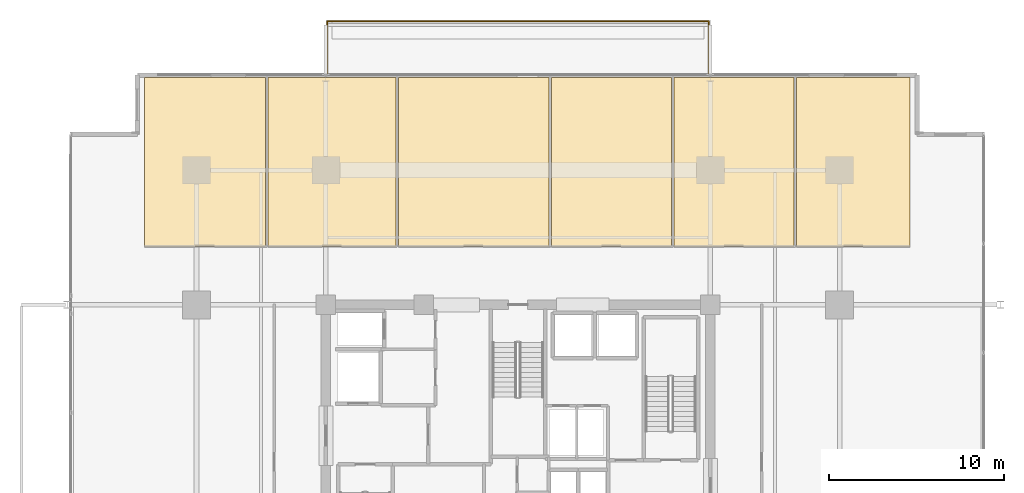
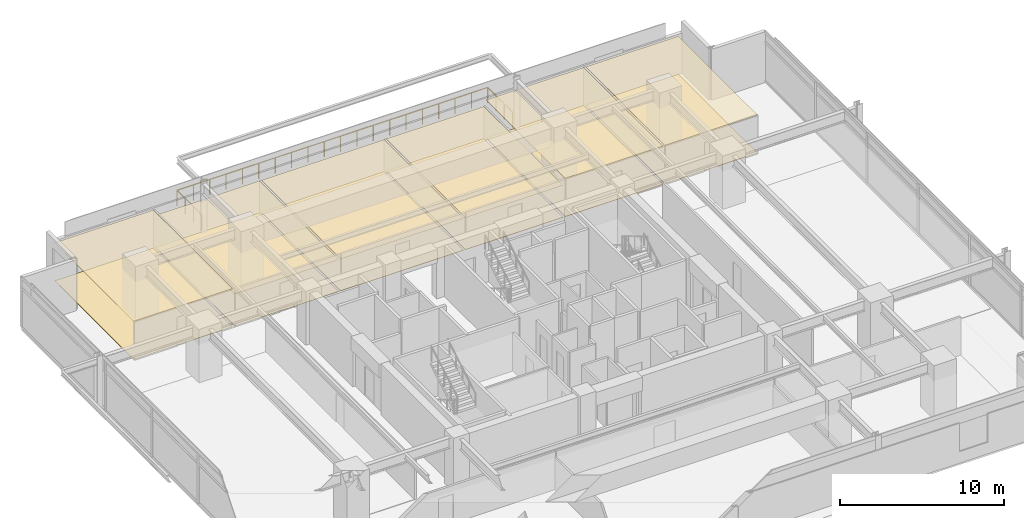
# One storey, part 22 of 22: 12 coverings, 1 railing.
"""IFC4 building model written with IfcOpenShell, lengths in metres."""

from ifc_helpers import new_model, si_unit, direction, frame, origin, origin_2d, place, context, subcontext, project, spatial, polyline, circle, outline, extrude, material, layer, layer_set, type_object, element, save


model = new_model("IFC4")

# Units and contexts
model_context = context("Model", 3, precision=1e-05, world=origin(), true_north=direction((0.0, 1.0)))
body_context = subcontext(model_context, "Body", "Model", "MODEL_VIEW")
ifc_project = project(units=[si_unit("LENGTHUNIT", "METRE"), si_unit("AREAUNIT", "SQUARE_METRE"), si_unit("VOLUMEUNIT", "CUBIC_METRE"), si_unit("PLANEANGLEUNIT", "RADIAN"), si_unit("MASSUNIT", "GRAM", prefix="KILO")], contexts=[model_context])

# Site, building, storey
site_placement = place(None, origin())
site = spatial("IfcSite", under=ifc_project, at=site_placement, CompositionType="ELEMENT")
building_placement = place(site_placement, origin())
building = spatial("IfcBuilding", under=site, at=building_placement, Name="Kovane Verandah Tower", CompositionType="ELEMENT")
storey_placement = place(building_placement, frame((0.0, 0.0, 156.39990234375)))
storey = spatial("IfcBuildingStorey", under=building, at=storey_placement, Name="L36", CompositionType="ELEMENT", Elevation=156.39990234375)

# Coverings
ifc_material_1 = material(Name="Perforated Acoustic Mineral-Fibre Ceiling Tile", Category="gypsum")
ifc_layer_1 = layer(ifc_material_1, 0.02490234375)
ifc_layer_set_1 = layer_set([ifc_layer_1], Name="Perforated Acoustic Mineral-Fibre Ceiling Tile")
covering_type_1 = type_object("IfcCoveringType", Name="CV-CEIL-25", PredefinedType="CEILING", material=ifc_layer_set_1)
covering_1_placement = place(storey_placement, frame((0.0, 0.0, 2.8251953125)))
element("IfcCovering", 1, at=covering_1_placement, inside=storey, type_object=covering_type_1, Name="L36 Meeting Room N1 Acoustic Ceiling", PredefinedType="CEILING", context=body_context, shape_type="SweptSolid", body=[
    extrude(outline(polyline([(18.61962890625, 39.85009765625), (25.561279296875, 39.85009765625), (25.561279296875, 49.49609375), (18.61962890625, 49.49609375), (18.61962890625, 39.85009765625)])), origin(), (0.0, 0.0, 1.0), 0.02490234375),
])
covering_2_placement = place(storey_placement, frame((0.0, 0.0, 2.380126953125)))
element("IfcCovering", 2, at=covering_2_placement, inside=storey, type_object=covering_type_1, Name="L36 Focus Studio N2 Acoustic Ceiling", PredefinedType="CEILING", context=body_context, shape_type="SweptSolid", body=[
    extrude(outline(polyline([(25.701416015625, 39.85009765625), (33.010986328125, 39.85009765625), (33.010986328125, 49.49609375), (25.701416015625, 49.49609375), (25.701416015625, 39.85009765625)])), origin(), (0.0, 0.0, 1.0), 0.02490234375),
])
covering_3_placement = place(storey_placement, frame((0.0, 0.0, 2.380126953125)))
element("IfcCovering", 3, at=covering_3_placement, inside=storey, type_object=covering_type_1, Name="L36 Breakout Pantry N3 Acoustic Ceiling", PredefinedType="CEILING", context=body_context, shape_type="SweptSolid", body=[
    extrude(outline(polyline([(33.151123046875, 39.85009765625), (41.775390625, 39.85009765625), (41.775390625, 49.49609375), (33.151123046875, 49.49609375), (33.151123046875, 39.85009765625)])), origin(), (0.0, 0.0, 1.0), 0.02490234375),
])
covering_4_placement = place(storey_placement, frame((0.0, 0.0, 2.380126953125)))
element("IfcCovering", 4, at=covering_4_placement, inside=storey, type_object=covering_type_1, Name="L36 Collaboration Hub N4 Acoustic Ceiling", PredefinedType="CEILING", context=body_context, shape_type="SweptSolid", body=[
    extrude(outline(polyline([(41.91552734375, 39.85009765625), (48.787109375, 39.85009765625), (48.787109375, 49.49609375), (41.91552734375, 49.49609375), (41.91552734375, 39.85009765625)])), origin(), (0.0, 0.0, 1.0), 0.02490234375),
])
covering_5_placement = place(storey_placement, frame((0.0, 0.0, 2.8251953125)))
element("IfcCovering", 5, at=covering_5_placement, inside=storey, type_object=covering_type_1, Name="L36 Document and Print Room N5 Acoustic Ceiling", PredefinedType="CEILING", context=body_context, shape_type="SweptSolid", body=[
    extrude(outline(polyline([(48.927001953125, 39.85009765625), (55.798583984375, 39.85009765625), (55.798583984375, 49.49609375), (48.927001953125, 49.49609375), (48.927001953125, 39.85009765625)])), origin(), (0.0, 0.0, 1.0), 0.02490234375),
])
covering_6_placement = place(storey_placement, frame((0.0, 0.0, 2.8251953125)))
element("IfcCovering", 6, at=covering_6_placement, inside=storey, type_object=covering_type_1, Name="L36 Open Plan Office N6 Acoustic Ceiling", PredefinedType="CEILING", context=body_context, shape_type="SweptSolid", body=[
    extrude(outline(polyline([(55.938720703125, 39.85009765625), (62.44189453125, 39.85009765625), (62.44189453125, 49.49609375), (55.938720703125, 49.49609375), (55.938720703125, 39.85009765625)])), origin(), (0.0, 0.0, 1.0), 0.02490234375),
])
ifc_material_2 = material(Name="Polished Terrazzo and Raised-Access Carpet Tile Finish", Category="concrete")
ifc_layer_2 = layer(ifc_material_2, 0.030029296875)
ifc_layer_set_2 = layer_set([ifc_layer_2], Name="Polished Terrazzo and Raised-Access Carpet Tile Finish")
covering_type_2 = type_object("IfcCoveringType", Name="CV-FLOR-30", PredefinedType="FLOORING", material=ifc_layer_set_2)
covering_7_placement = place(storey_placement, origin())
element("IfcCovering", 7, at=covering_7_placement, inside=storey, type_object=covering_type_2, Name="L36 Meeting Room N1 Floor Finish", PredefinedType="FLOORING", context=body_context, shape_type="SweptSolid", body=[
    extrude(outline(polyline([(18.61962890625, 39.85009765625), (25.561279296875, 39.85009765625), (25.561279296875, 49.49609375), (18.61962890625, 49.49609375), (18.61962890625, 39.85009765625)])), origin(), (0.0, 0.0, 1.0), 0.030029296875),
])
covering_8_placement = place(storey_placement, origin())
element("IfcCovering", 8, at=covering_8_placement, inside=storey, type_object=covering_type_2, Name="L36 Focus Studio N2 Floor Finish", PredefinedType="FLOORING", context=body_context, shape_type="SweptSolid", body=[
    extrude(outline(polyline([(25.701416015625, 39.85009765625), (33.010986328125, 39.85009765625), (33.010986328125, 49.49609375), (25.701416015625, 49.49609375), (25.701416015625, 39.85009765625)])), origin(), (0.0, 0.0, 1.0), 0.030029296875),
])
covering_9_placement = place(storey_placement, origin())
element("IfcCovering", 9, at=covering_9_placement, inside=storey, type_object=covering_type_2, Name="L36 Breakout Pantry N3 Floor Finish", PredefinedType="FLOORING", context=body_context, shape_type="SweptSolid", body=[
    extrude(outline(polyline([(33.151123046875, 39.85009765625), (41.775390625, 39.85009765625), (41.775390625, 49.49609375), (33.151123046875, 49.49609375), (33.151123046875, 39.85009765625)])), origin(), (0.0, 0.0, 1.0), 0.030029296875),
])
covering_10_placement = place(storey_placement, origin())
element("IfcCovering", 10, at=covering_10_placement, inside=storey, type_object=covering_type_2, Name="L36 Collaboration Hub N4 Floor Finish", PredefinedType="FLOORING", context=body_context, shape_type="SweptSolid", body=[
    extrude(outline(polyline([(41.91552734375, 39.85009765625), (48.787109375, 39.85009765625), (48.787109375, 49.49609375), (41.91552734375, 49.49609375), (41.91552734375, 39.85009765625)])), origin(), (0.0, 0.0, 1.0), 0.030029296875),
])
covering_11_placement = place(storey_placement, origin())
element("IfcCovering", 11, at=covering_11_placement, inside=storey, type_object=covering_type_2, Name="L36 Document and Print Room N5 Floor Finish", PredefinedType="FLOORING", context=body_context, shape_type="SweptSolid", body=[
    extrude(outline(polyline([(48.927001953125, 39.85009765625), (55.798583984375, 39.85009765625), (55.798583984375, 49.49609375), (48.927001953125, 49.49609375), (48.927001953125, 39.85009765625)])), origin(), (0.0, 0.0, 1.0), 0.030029296875),
])
covering_12_placement = place(storey_placement, origin())
element("IfcCovering", 12, at=covering_12_placement, inside=storey, type_object=covering_type_2, Name="L36 Open Plan Office N6 Floor Finish", PredefinedType="FLOORING", context=body_context, shape_type="SweptSolid", body=[
    extrude(outline(polyline([(55.938720703125, 39.85009765625), (62.44189453125, 39.85009765625), (62.44189453125, 49.49609375), (55.938720703125, 49.49609375), (55.938720703125, 39.85009765625)])), origin(), (0.0, 0.0, 1.0), 0.030029296875),
])

# Railing
ifc_material_3 = material(Name="Laminated Glass and Pale-Champagne Stainless Balustrade", Category="glass")
railing_type = type_object("IfcRailingType", Name="RL-BAL-1150", PredefinedType="BALUSTRADE", material=ifc_material_3)
railing_placement = place(storey_placement, frame((29.080078125, 49.6962890625, 0.0)))
element("IfcRailing", 13, at=railing_placement, inside=storey, type_object=railing_type, Name="L36 N Verandah Glass Balustrade", PredefinedType="BALUSTRADE", context=body_context, shape_type="SweptSolid", body=[
    extrude(circle(Radius=0.02392578125, at=origin_2d()), frame((0.0, 0.0, 1.1259765625), z_axis=(0.0, 1.0, 0.0), x_axis=(-1.0, 0.0, 0.0)), (0.0, 0.0, 1.0), 3.02001953125),
    extrude(circle(Radius=0.02392578125, at=origin_2d()), frame((0.0, 3.02001953125, 1.1259765625), z_axis=(1.0, 0.0, 0.0), x_axis=(0.0, 1.0, 0.0)), (0.0, 0.0, 1.0), 21.83984375),
    extrude(circle(Radius=0.02392578125, at=origin_2d()), frame((21.83984375, 3.02001953125, 1.1259765625), z_axis=(0.0, -1.0, 0.0), x_axis=(1.0, 0.0, 0.0)), (0.0, 0.0, 1.0), 3.02001953125),
    extrude(circle(Radius=0.02099609375, at=origin_2d()), origin(), (0.0, 0.0, 1.0), 1.101806640625),
    extrude(circle(Radius=0.02099609375, at=origin_2d()), frame((0.0, 1.006591796875, 0.0)), (0.0, 0.0, 1.0), 1.101806640625),
    extrude(circle(Radius=0.02099609375, at=origin_2d()), frame((0.0, 2.013427734375, 0.0)), (0.0, 0.0, 1.0), 1.101806640625),
    extrude(circle(Radius=0.02099609375, at=origin_2d()), frame((0.0, 3.02001953125, 0.0)), (0.0, 0.0, 1.0), 1.101806640625),
    extrude(circle(Radius=0.02099609375, at=origin_2d()), frame((1.1494140625, 3.02001953125, 0.0)), (0.0, 0.0, 1.0), 1.101806640625),
    extrude(circle(Radius=0.02099609375, at=origin_2d()), frame((2.298828125, 3.02001953125, 0.0)), (0.0, 0.0, 1.0), 1.101806640625),
    extrude(circle(Radius=0.02099609375, at=origin_2d()), frame((3.448486328125, 3.02001953125, 0.0)), (0.0, 0.0, 1.0), 1.101806640625),
    extrude(circle(Radius=0.02099609375, at=origin_2d()), frame((4.597900390625, 3.02001953125, 0.0)), (0.0, 0.0, 1.0), 1.101806640625),
    extrude(circle(Radius=0.02099609375, at=origin_2d()), frame((5.747314453125, 3.02001953125, 0.0)), (0.0, 0.0, 1.0), 1.101806640625),
    extrude(circle(Radius=0.02099609375, at=origin_2d()), frame((6.896728515625, 3.02001953125, 0.0)), (0.0, 0.0, 1.0), 1.101806640625),
    extrude(circle(Radius=0.02099609375, at=origin_2d()), frame((8.046142578125, 3.02001953125, 0.0)), (0.0, 0.0, 1.0), 1.101806640625),
    extrude(circle(Radius=0.02099609375, at=origin_2d()), frame((9.19580078125, 3.02001953125, 0.0)), (0.0, 0.0, 1.0), 1.101806640625),
    extrude(circle(Radius=0.02099609375, at=origin_2d()), frame((10.34521484375, 3.02001953125, 0.0)), (0.0, 0.0, 1.0), 1.101806640625),
    extrude(circle(Radius=0.02099609375, at=origin_2d()), frame((11.49462890625, 3.02001953125, 0.0)), (0.0, 0.0, 1.0), 1.101806640625),
    extrude(circle(Radius=0.02099609375, at=origin_2d()), frame((12.64404296875, 3.02001953125, 0.0)), (0.0, 0.0, 1.0), 1.101806640625),
    extrude(circle(Radius=0.02099609375, at=origin_2d()), frame((13.793701171875, 3.02001953125, 0.0)), (0.0, 0.0, 1.0), 1.101806640625),
    extrude(circle(Radius=0.02099609375, at=origin_2d()), frame((14.943115234375, 3.02001953125, 0.0)), (0.0, 0.0, 1.0), 1.101806640625),
    extrude(circle(Radius=0.02099609375, at=origin_2d()), frame((16.092529296875, 3.02001953125, 0.0)), (0.0, 0.0, 1.0), 1.101806640625),
    extrude(circle(Radius=0.02099609375, at=origin_2d()), frame((17.241943359375, 3.02001953125, 0.0)), (0.0, 0.0, 1.0), 1.101806640625),
    extrude(circle(Radius=0.02099609375, at=origin_2d()), frame((18.391357421875, 3.02001953125, 0.0)), (0.0, 0.0, 1.0), 1.101806640625),
    extrude(circle(Radius=0.02099609375, at=origin_2d()), frame((19.541015625, 3.02001953125, 0.0)), (0.0, 0.0, 1.0), 1.101806640625),
    extrude(circle(Radius=0.02099609375, at=origin_2d()), frame((20.6904296875, 3.02001953125, 0.0)), (0.0, 0.0, 1.0), 1.101806640625),
    extrude(circle(Radius=0.02099609375, at=origin_2d()), frame((21.83984375, 3.02001953125, 0.0)), (0.0, 0.0, 1.0), 1.101806640625),
    extrude(circle(Radius=0.02099609375, at=origin_2d()), frame((21.83984375, 2.013427734375, 0.0)), (0.0, 0.0, 1.0), 1.101806640625),
    extrude(circle(Radius=0.02099609375, at=origin_2d()), frame((21.83984375, 1.006591796875, 0.0)), (0.0, 0.0, 1.0), 1.101806640625),
    extrude(circle(Radius=0.02099609375, at=origin_2d()), frame((21.83984375, 0.0, 0.0)), (0.0, 0.0, 1.0), 1.101806640625),
])

save(model, "model.ifc")
